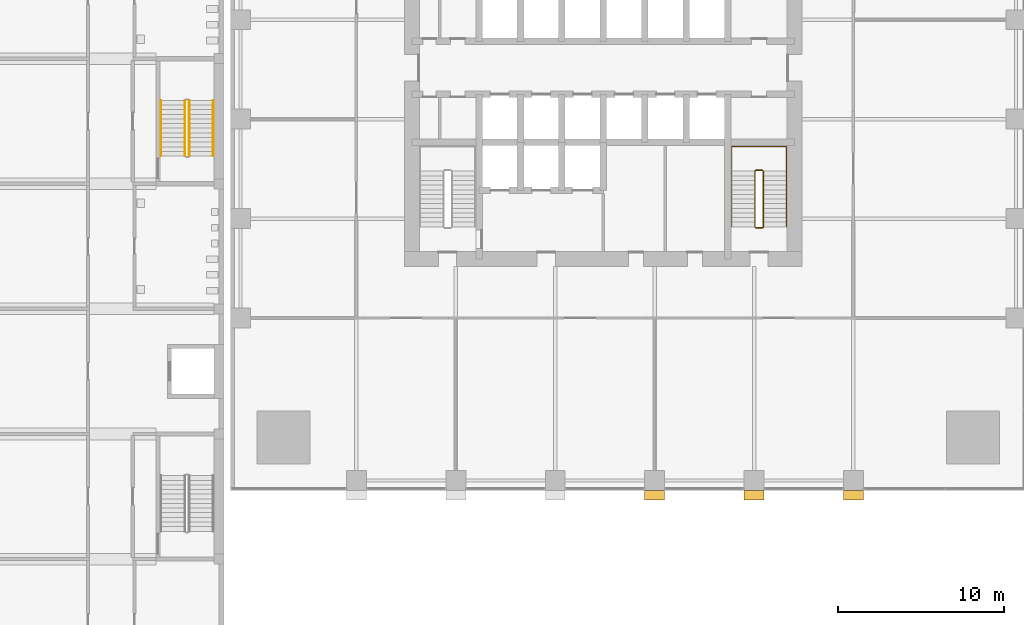
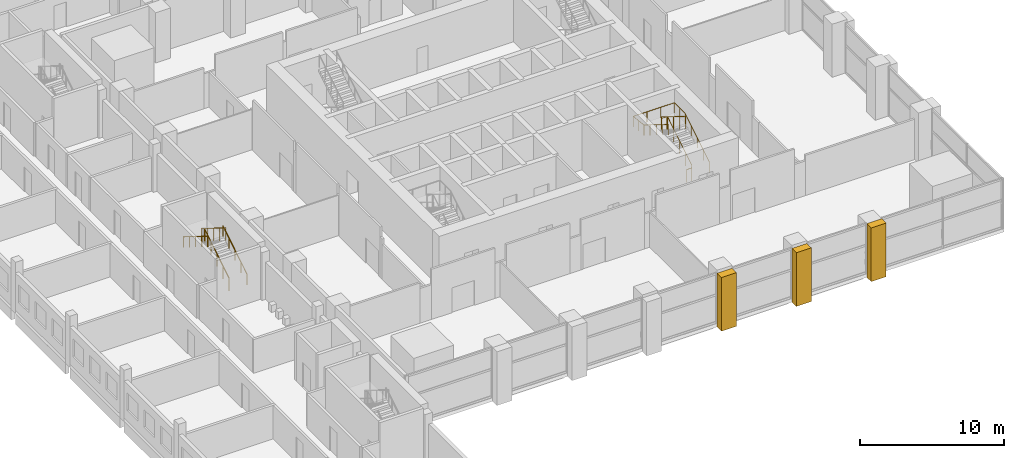
# One storey, part 20 of 24: 6 railings, 3 coverings.
"""IFC4 building model written with IfcOpenShell, lengths in metres."""

from ifc_helpers import new_model, si_unit, direction, frame, origin, origin_2d, place, context, subcontext, project, spatial, polyline, circle, outline, extrude, material, layer, layer_set, type_object, element, save


model = new_model("IFC4")

# Units and contexts
model_context = context("Model", 3, precision=1e-05, world=origin(), true_north=direction((0.0, 1.0)))
body_context = subcontext(model_context, "Body", "Model", "MODEL_VIEW")
ifc_project = project(units=[si_unit("LENGTHUNIT", "METRE"), si_unit("AREAUNIT", "SQUARE_METRE"), si_unit("VOLUMEUNIT", "CUBIC_METRE"), si_unit("PLANEANGLEUNIT", "RADIAN"), si_unit("MASSUNIT", "GRAM", prefix="KILO")], contexts=[model_context])

# Site, building, storey
site_placement = place(None, origin())
site = spatial("IfcSite", under=ifc_project, at=site_placement, CompositionType="ELEMENT")
building_placement = place(site_placement, origin())
building = spatial("IfcBuilding", under=site, at=building_placement, Name="Amberfall Residences", CompositionType="ELEMENT")
storey_placement = place(building_placement, frame((0.0, 0.0, 19.0)))
storey = spatial("IfcBuildingStorey", under=building, at=storey_placement, Name="L04", CompositionType="ELEMENT", Elevation=19.0)

# Coverings
ifc_material_1 = material(Name="Pale stone cladding on insulated backing", Category="masonry")
ifc_layer = layer(ifc_material_1, 1.199951171875)
ifc_layer_set = layer_set([ifc_layer], Name="Podium stone pier 1200 x 600")
covering_type = type_object("IfcCoveringType", Name="Podium stone pier 1200 x 600", PredefinedType="CLADDING", material=ifc_layer_set)
covering_1_placement = place(storey_placement, frame((0.0, 0.0, -0.300048828125)))
element("IfcCovering", 1, at=covering_1_placement, inside=storey, type_object=covering_type, Name="Podium pier L04 S4", PredefinedType="CLADDING", context=body_context, shape_type="SweptSolid", body=[
    extrude(outline(polyline([(77.0, 20.0), (78.199951171875, 20.0), (78.199951171875, 19.39990234375), (77.0, 19.39990234375), (77.0, 20.0)])), origin(), (0.0, 0.0, 1.0), 4.550048828125),
])
covering_2_placement = place(storey_placement, frame((0.0, 0.0, -0.300048828125)))
element("IfcCovering", 2, at=covering_2_placement, inside=storey, type_object=covering_type, Name="Podium pier L04 S5", PredefinedType="CLADDING", context=body_context, shape_type="SweptSolid", body=[
    extrude(outline(polyline([(83.0, 20.0), (84.199951171875, 20.0), (84.199951171875, 19.39990234375), (83.0, 19.39990234375), (83.0, 20.0)])), origin(), (0.0, 0.0, 1.0), 4.550048828125),
])
covering_3_placement = place(storey_placement, frame((0.0, 0.0, -0.300048828125)))
element("IfcCovering", 3, at=covering_3_placement, inside=storey, type_object=covering_type, Name="Podium pier L04 S6", PredefinedType="CLADDING", context=body_context, shape_type="SweptSolid", body=[
    extrude(outline(polyline([(89.0, 20.0), (90.199951171875, 20.0), (90.199951171875, 19.39990234375), (89.0, 19.39990234375), (89.0, 20.0)])), origin(), (0.0, 0.0, 1.0), 4.550048828125),
])

# Railings
ifc_material_2 = material(Name="Stainless steel", Category="steel")
railing_type_1 = type_object("IfcRailingType", Name="School stair guard 1100", PredefinedType="GUARDRAIL", material=ifc_material_2)
railing_1_placement = place(storey_placement, frame((49.5, 40.175048828125, 0.173095703125)))
element("IfcRailing", 4, at=railing_1_placement, inside=storey, type_object=railing_type_1, Name="L04 SS2 stair guard 1", PredefinedType="GUARDRAIL", context=body_context, shape_type="SweptSolid", body=[
    extrude(circle(Radius=0.02392578125, at=origin_2d()), frame((0.0, 0.0, 1.076171875), z_axis=(0.0, 0.850606129759, 0.525803396734), x_axis=(-1.0, 0.0, 0.0)), (0.0, 0.0, 1.0), 3.949951171875),
    extrude(circle(Radius=0.02099609375, at=origin_2d()), origin(), (0.0, 0.0, 1.0), 1.052001953125),
    extrude(circle(Radius=0.02099609375, at=origin_2d()), frame((0.0, 0.83984375, 0.519287109375)), (0.0, 0.0, 1.0), 1.052001953125),
    extrude(circle(Radius=0.02099609375, at=origin_2d()), frame((0.0, 1.679931640625, 1.03857421875)), (0.0, 0.0, 1.0), 1.052001953125),
    extrude(circle(Radius=0.02099609375, at=origin_2d()), frame((0.0, 2.52001953125, 1.5576171875)), (0.0, 0.0, 1.0), 1.052001953125),
    extrude(circle(Radius=0.02099609375, at=origin_2d()), frame((0.0, 3.35986328125, 2.076904296875)), (0.0, 0.0, 1.0), 1.052001953125),
])
railing_2_placement = place(storey_placement, frame((49.25, 43.534912109375, 2.423095703125)))
element("IfcRailing", 5, at=railing_2_placement, inside=storey, type_object=railing_type_1, Name="L04 SS2 stair guard 3", PredefinedType="GUARDRAIL", context=body_context, shape_type="SweptSolid", body=[
    extrude(circle(Radius=0.02392578125, at=origin_2d()), frame((0.0, 0.0, 1.076171875), z_axis=(0.0, -0.850606129759, 0.525803396734), x_axis=(1.0, 0.0, 0.0)), (0.0, 0.0, 1.0), 3.949951171875),
    extrude(circle(Radius=0.02099609375, at=origin_2d()), origin(), (0.0, 0.0, 1.0), 1.052001953125),
    extrude(circle(Radius=0.02099609375, at=origin_2d()), frame((0.0, -0.83984375, 0.519287109375)), (0.0, 0.0, 1.0), 1.052001953125),
    extrude(circle(Radius=0.02099609375, at=origin_2d()), frame((0.0, -1.679931640625, 1.03857421875)), (0.0, 0.0, 1.0), 1.052001953125),
    extrude(circle(Radius=0.02099609375, at=origin_2d()), frame((0.0, -2.52001953125, 1.5576171875)), (0.0, 0.0, 1.0), 1.052001953125),
    extrude(circle(Radius=0.02099609375, at=origin_2d()), frame((0.0, -3.35986328125, 2.076904296875)), (0.0, 0.0, 1.0), 1.052001953125),
])
railing_type_2 = type_object("IfcRailingType", Name="School stair handrail", PredefinedType="HANDRAIL", material=ifc_material_2)
railing_3_placement = place(storey_placement, frame((50.949951171875, 40.175048828125, 0.173095703125)))
element("IfcRailing", 6, at=railing_3_placement, inside=storey, type_object=railing_type_2, Name="L04 SS2 stair handrail 1", PredefinedType="HANDRAIL", context=body_context, shape_type="SweptSolid", body=[
    extrude(circle(Radius=0.02392578125, at=origin_2d()), frame((0.0, 0.0, 0.8759765625), z_axis=(0.0, 0.850606129759, 0.525803396734), x_axis=(-1.0, 0.0, 0.0)), (0.0, 0.0, 1.0), 3.949951171875),
    extrude(circle(Radius=0.02099609375, at=origin_2d()), origin(), (0.0, 0.0, 1.0), 0.851806640625),
    extrude(circle(Radius=0.02099609375, at=origin_2d()), frame((0.0, 0.83984375, 0.519287109375)), (0.0, 0.0, 1.0), 0.851806640625),
    extrude(circle(Radius=0.02099609375, at=origin_2d()), frame((0.0, 1.679931640625, 1.03857421875)), (0.0, 0.0, 1.0), 0.851806640625),
    extrude(circle(Radius=0.02099609375, at=origin_2d()), frame((0.0, 2.52001953125, 1.5576171875)), (0.0, 0.0, 1.0), 0.851806640625),
    extrude(circle(Radius=0.02099609375, at=origin_2d()), frame((0.0, 3.35986328125, 2.076904296875)), (0.0, 0.0, 1.0), 0.851806640625),
])
railing_4_placement = place(storey_placement, frame((47.800048828125, 43.534912109375, 2.423095703125)))
element("IfcRailing", 7, at=railing_4_placement, inside=storey, type_object=railing_type_2, Name="L04 SS2 stair handrail 2", PredefinedType="HANDRAIL", context=body_context, shape_type="SweptSolid", body=[
    extrude(circle(Radius=0.02392578125, at=origin_2d()), frame((0.0, 0.0, 0.8759765625), z_axis=(0.0, -0.850606129759, 0.525803396734), x_axis=(1.0, 0.0, 0.0)), (0.0, 0.0, 1.0), 3.949951171875),
    extrude(circle(Radius=0.02099609375, at=origin_2d()), origin(), (0.0, 0.0, 1.0), 0.851806640625),
    extrude(circle(Radius=0.02099609375, at=origin_2d()), frame((0.0, -0.83984375, 0.519287109375)), (0.0, 0.0, 1.0), 0.851806640625),
    extrude(circle(Radius=0.02099609375, at=origin_2d()), frame((0.0, -1.679931640625, 1.03857421875)), (0.0, 0.0, 1.0), 0.851806640625),
    extrude(circle(Radius=0.02099609375, at=origin_2d()), frame((0.0, -2.52001953125, 1.5576171875)), (0.0, 0.0, 1.0), 0.851806640625),
    extrude(circle(Radius=0.02099609375, at=origin_2d()), frame((0.0, -3.35986328125, 2.076904296875)), (0.0, 0.0, 1.0), 0.851806640625),
])
ifc_material_3 = material(Name="Stainless steel 316", Category="steel")
railing_type_3 = type_object("IfcRailingType", Name="Stair guard 1100", PredefinedType="GUARDRAIL", material=ifc_material_3)
railing_5_placement = place(storey_placement, frame((83.699951171875, 35.85009765625, 0.0)))
element("IfcRailing", 8, at=railing_5_placement, inside=storey, type_object=railing_type_3, Name="L04 stair 2 guard", PredefinedType="GUARDRAIL", context=body_context, shape_type="SweptSolid", body=[
    extrude(circle(Radius=0.02392578125, at=origin_2d()), frame((0.0, 0.0, 1.076171875), z_axis=(1.0, 0.0, 0.0), x_axis=(0.0, 1.0, 0.0)), (0.0, 0.0, 1.0), 0.400146484375),
    extrude(circle(Radius=0.02392578125, at=origin_2d()), frame((0.400146484375, 0.0, 1.076171875), z_axis=(0.26651005591, 0.26651005591, 0.926253086471), x_axis=(-0.707106781187, 0.707106781187, 0.0)), (0.0, 0.0, 1.0), 0.186767578125),
    extrude(circle(Radius=0.02392578125, at=origin_2d()), frame((0.449951171875, 0.0498046875, 1.2490234375), z_axis=(0.0, 0.850623216509, 0.525775754039), x_axis=(-1.0, 0.0, 0.0)), (0.0, 0.0, 1.0), 3.9501953125),
    extrude(circle(Radius=0.02392578125, at=origin_2d()), frame((0.449951171875, 3.409912109375, 3.326171875), z_axis=(-0.705375805398, 0.708833529934, 0.0), x_axis=(-0.708833529934, -0.705375805398, 0.0)), (0.0, 0.0, 1.0), 0.070556640625),
    extrude(circle(Radius=0.02392578125, at=origin_2d()), frame((0.400146484375, 3.4599609375, 3.326171875), z_axis=(-1.0, 0.0, 0.0), x_axis=(0.0, -1.0, 0.0)), (0.0, 0.0, 1.0), 0.400146484375),
    extrude(circle(Radius=0.02392578125, at=origin_2d()), frame((0.0, 3.4599609375, 3.326171875), z_axis=(-0.267629722418, -0.267629722418, 0.925607186314), x_axis=(0.707106781187, -0.707106781187, 0.0)), (0.0, 0.0, 1.0), 0.18701171875),
    extrude(circle(Radius=0.02392578125, at=origin_2d()), frame((-0.050048828125, 3.409912109375, 3.4990234375), z_axis=(0.0, -0.850623216509, 0.525775754039), x_axis=(1.0, 0.0, 0.0)), (0.0, 0.0, 1.0), 3.9501953125),
    extrude(circle(Radius=0.02099609375, at=origin_2d()), origin(), (0.0, 0.0, 1.0), 1.052001953125),
    extrude(circle(Radius=0.02099609375, at=origin_2d()), frame((0.400146484375, 0.0, 0.0)), (0.0, 0.0, 1.0), 1.052001953125),
    extrude(circle(Radius=0.02099609375, at=origin_2d()), frame((0.449951171875, 0.0498046875, 0.173095703125)), (0.0, 0.0, 1.0), 1.052001953125),
    extrude(circle(Radius=0.02099609375, at=origin_2d()), frame((0.449951171875, 0.889892578125, 0.6923828125)), (0.0, 0.0, 1.0), 1.052001953125),
    extrude(circle(Radius=0.02099609375, at=origin_2d()), frame((0.449951171875, 1.72998046875, 1.21142578125)), (0.0, 0.0, 1.0), 1.052001953125),
    extrude(circle(Radius=0.02099609375, at=origin_2d()), frame((0.449951171875, 2.56982421875, 1.730712890625)), (0.0, 0.0, 1.0), 1.052001953125),
    extrude(circle(Radius=0.02099609375, at=origin_2d()), frame((0.449951171875, 3.409912109375, 2.25)), (0.0, 0.0, 1.0), 1.052001953125),
    extrude(circle(Radius=0.02099609375, at=origin_2d()), frame((0.400146484375, 3.4599609375, 2.25)), (0.0, 0.0, 1.0), 1.052001953125),
    extrude(circle(Radius=0.02099609375, at=origin_2d()), frame((0.0, 3.4599609375, 2.25)), (0.0, 0.0, 1.0), 1.052001953125),
    extrude(circle(Radius=0.02099609375, at=origin_2d()), frame((-0.050048828125, 3.409912109375, 2.423095703125)), (0.0, 0.0, 1.0), 1.052001953125),
    extrude(circle(Radius=0.02099609375, at=origin_2d()), frame((-0.050048828125, 2.56982421875, 2.9423828125)), (0.0, 0.0, 1.0), 1.052001953125),
    extrude(circle(Radius=0.02099609375, at=origin_2d()), frame((-0.050048828125, 1.72998046875, 3.46142578125)), (0.0, 0.0, 1.0), 1.052001953125),
    extrude(circle(Radius=0.02099609375, at=origin_2d()), frame((-0.050048828125, 0.889892578125, 3.980712890625)), (0.0, 0.0, 1.0), 1.052001953125),
    extrude(circle(Radius=0.02099609375, at=origin_2d()), frame((-0.050048828125, 0.0498046875, 4.5)), (0.0, 0.0, 1.0), 1.052001953125),
])
railing_type_4 = type_object("IfcRailingType", Name="Stair handrail 900", PredefinedType="HANDRAIL", material=ifc_material_3)
railing_6_placement = place(storey_placement, frame((85.550048828125, 35.89990234375, 0.173095703125)))
element("IfcRailing", 9, at=railing_6_placement, inside=storey, type_object=railing_type_4, Name="L04 stair 2 handrail", PredefinedType="HANDRAIL", context=body_context, shape_type="SweptSolid", body=[
    extrude(circle(Radius=0.02392578125, at=origin_2d()), frame((0.0, 0.0, 0.8759765625), z_axis=(0.0, 0.850623216509, 0.525775754039), x_axis=(-1.0, 0.0, 0.0)), (0.0, 0.0, 1.0), 3.9501953125),
    extrude(circle(Radius=0.02392578125, at=origin_2d()), frame((0.0, 3.360107421875, 2.95263671875), z_axis=(0.0, 1.0, 0.0), x_axis=(-1.0, 0.0, 0.0)), (0.0, 0.0, 1.0), 1.489990234375),
    extrude(circle(Radius=0.02392578125, at=origin_2d()), frame((0.0, 4.85009765625, 2.95263671875), z_axis=(-1.0, 0.0, 0.0), x_axis=(0.0, -1.0, 0.0)), (0.0, 0.0, 1.0), 3.300048828125),
    extrude(circle(Radius=0.02392578125, at=origin_2d()), frame((-3.300048828125, 4.85009765625, 2.95263671875), z_axis=(0.0, -0.993319533971, 0.115396288642), x_axis=(1.0, 0.0, 0.0)), (0.0, 0.0, 1.0), 1.5),
    extrude(circle(Radius=0.02392578125, at=origin_2d()), frame((-3.300048828125, 3.360107421875, 3.1259765625), z_axis=(0.0, -0.850623216509, 0.525775754039), x_axis=(1.0, 0.0, 0.0)), (0.0, 0.0, 1.0), 3.9501953125),
    extrude(circle(Radius=0.02099609375, at=origin_2d()), origin(), (0.0, 0.0, 1.0), 0.851806640625),
    extrude(circle(Radius=0.02099609375, at=origin_2d()), frame((0.0, 0.840087890625, 0.519287109375)), (0.0, 0.0, 1.0), 0.851806640625),
    extrude(circle(Radius=0.02099609375, at=origin_2d()), frame((0.0, 1.68017578125, 1.03857421875)), (0.0, 0.0, 1.0), 0.851806640625),
    extrude(circle(Radius=0.02099609375, at=origin_2d()), frame((0.0, 2.52001953125, 1.5576171875)), (0.0, 0.0, 1.0), 0.851806640625),
    extrude(circle(Radius=0.02099609375, at=origin_2d()), frame((0.0, 3.360107421875, 2.076904296875)), (0.0, 0.0, 1.0), 0.851806640625),
    extrude(circle(Radius=0.02099609375, at=origin_2d()), frame((0.0, 4.10498046875, 2.076904296875)), (0.0, 0.0, 1.0), 0.851806640625),
    extrude(circle(Radius=0.02099609375, at=origin_2d()), frame((0.0, 4.85009765625, 2.076904296875)), (0.0, 0.0, 1.0), 0.851806640625),
    extrude(circle(Radius=0.02099609375, at=origin_2d()), frame((-1.10009765625, 4.85009765625, 2.076904296875)), (0.0, 0.0, 1.0), 0.851806640625),
    extrude(circle(Radius=0.02099609375, at=origin_2d()), frame((-2.199951171875, 4.85009765625, 2.076904296875)), (0.0, 0.0, 1.0), 0.851806640625),
    extrude(circle(Radius=0.02099609375, at=origin_2d()), frame((-3.300048828125, 4.85009765625, 2.076904296875)), (0.0, 0.0, 1.0), 0.851806640625),
    extrude(circle(Radius=0.02099609375, at=origin_2d()), frame((-3.300048828125, 4.10498046875, 2.16357421875)), (0.0, 0.0, 1.0), 0.851806640625),
    extrude(circle(Radius=0.02099609375, at=origin_2d()), frame((-3.300048828125, 3.360107421875, 2.25)), (0.0, 0.0, 1.0), 0.851806640625),
    extrude(circle(Radius=0.02099609375, at=origin_2d()), frame((-3.300048828125, 2.52001953125, 2.769287109375)), (0.0, 0.0, 1.0), 0.851806640625),
    extrude(circle(Radius=0.02099609375, at=origin_2d()), frame((-3.300048828125, 1.68017578125, 3.28857421875)), (0.0, 0.0, 1.0), 0.851806640625),
    extrude(circle(Radius=0.02099609375, at=origin_2d()), frame((-3.300048828125, 0.840087890625, 3.8076171875)), (0.0, 0.0, 1.0), 0.851806640625),
    extrude(circle(Radius=0.02099609375, at=origin_2d()), frame((-3.300048828125, 0.0, 4.326904296875)), (0.0, 0.0, 1.0), 0.851806640625),
])

save(model, "model.ifc")
